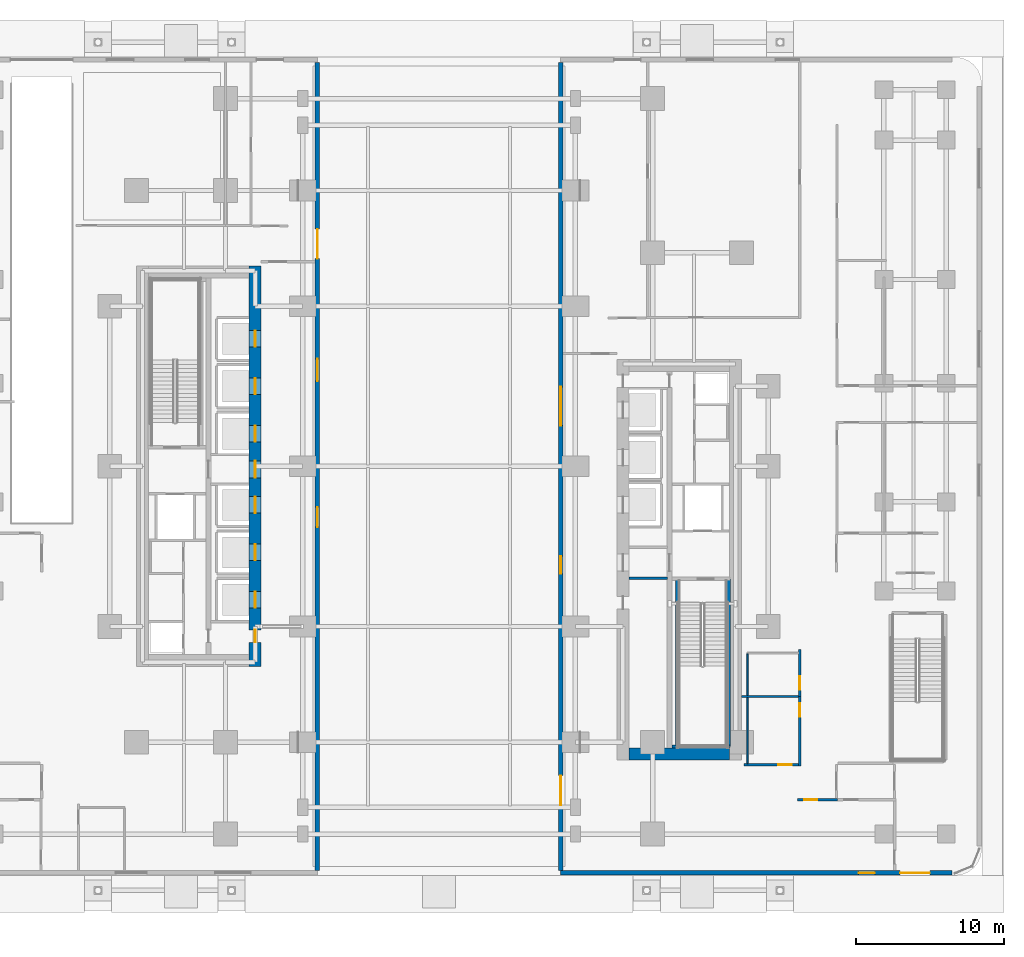
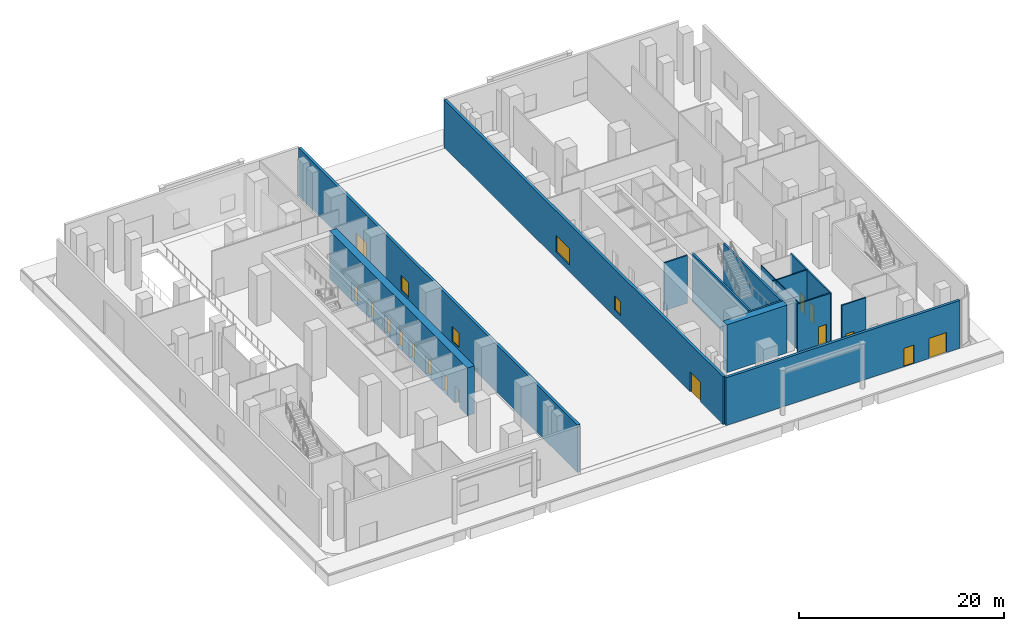
# One storey, part 10 of 22: 16 doors, 16 walls, 4 windows, 20 openings.
"""IFC4 building model written with IfcOpenShell, lengths in metres."""

from ifc_helpers import new_model, si_unit, direction, frame, frame_2d, origin, place, context, subcontext, project, spatial, rectangle, extrude, material, layer, layer_set, type_object, element, fill, save


model = new_model("IFC4")

# Units and contexts
model_context = context("Model", 3, precision=1e-05, world=origin(), true_north=direction((0.0, 1.0)))
body_context = subcontext(model_context, "Body", "Model", "MODEL_VIEW")
ifc_project = project(units=[si_unit("LENGTHUNIT", "METRE"), si_unit("AREAUNIT", "SQUARE_METRE"), si_unit("VOLUMEUNIT", "CUBIC_METRE"), si_unit("PLANEANGLEUNIT", "RADIAN"), si_unit("MASSUNIT", "GRAM", prefix="KILO")], contexts=[model_context])

# Site, building, storey
site_placement = place(None, origin())
site = spatial("IfcSite", under=ifc_project, at=site_placement, CompositionType="ELEMENT")
building_placement = place(site_placement, origin())
building = spatial("IfcBuilding", under=site, at=building_placement, Name="Khairoan Windgate Tower", CompositionType="ELEMENT")
storey_placement = place(building_placement, origin())
storey = spatial("IfcBuildingStorey", under=building, at=storey_placement, Name="L01", CompositionType="ELEMENT", Elevation=0.0)

# Walls
ifc_material_1 = material(Name="Moisture-Resistant Gypsum Partition", Category="gypsum")
ifc_layer_1 = layer(ifc_material_1, 0.10009765625, Name="Moisture-Resistant Gypsum Partition")
ifc_layer_set_1 = layer_set([ifc_layer_1], Name="Moisture-Resistant Gypsum Partition")
wall_type_1 = type_object("IfcWallType", Name="Bathroom Wet-Area Partition Wall", PredefinedType="PARTITIONING", material=ifc_layer_set_1)
wall_1_placement = place(storey_placement, frame((20.800048828125, -20.044921875, 0.0), z_axis=(0.0, 0.0, 1.0), x_axis=(0.0, 1.0, 0.0)))
element("IfcWall", 1, at=wall_1_placement, inside=storey, type_object=wall_type_1, Name="L01 Wet Room Side Wall 052", PredefinedType="PARTITIONING", context=body_context, shape_type="SweptSolid", body=[
    extrude(rectangle(XDim=4.454833984375, YDim=0.10009765625, at=frame_2d((2.2275390625, 0.0))), origin(), (0.0, 0.0, 1.0), 5.699951171875),
])
wall_2_placement = place(storey_placement, frame((20.800048828125, -15.449951171875, 0.0), z_axis=(0.0, 0.0, 1.0), x_axis=(0.0, 1.0, 0.0)))
element("IfcWall", 2, at=wall_2_placement, inside=storey, type_object=wall_type_1, Name="L01 Wet Room Side Wall 054", PredefinedType="PARTITIONING", context=body_context, shape_type="SweptSolid", body=[
    extrude(rectangle(XDim=2.800048828125, YDim=0.10009765625, at=frame_2d((1.39990234375, 0.0))), origin(), (0.0, 0.0, 1.0), 5.699951171875),
])
ifc_material_2 = material(Name="Concrete C40/50", Category="concrete")
ifc_layer_2 = layer(ifc_material_2, 0.159912109375, Name="Concrete C40/50")
ifc_layer_set_2 = layer_set([ifc_layer_2], Name="Concrete C40/50")
wall_type_2 = type_object("IfcWallType", Name="Core and Hoistway Enclosure Wall", PredefinedType="STANDARD", material=ifc_layer_set_2)
wall_3_placement = place(storey_placement, frame((12.800048828125, -7.5400390625, 0.0), z_axis=(0.0, 0.0, 1.0), x_axis=(1.0, 0.0, 0.0)))
element("IfcWall", 3, at=wall_3_placement, inside=storey, type_object=wall_type_2, Name="L01 Core Shaft Wall SW-EV2-L01", PredefinedType="STANDARD", context=body_context, shape_type="SweptSolid", body=[
    extrude(rectangle(XDim=2.599853515625, YDim=0.159912109375, at=frame_2d((1.2998046875, 0.0))), origin(), (0.0, 0.0, 1.0), 5.699951171875),
])

# Wall, openings, door, windows
ifc_material_3 = material(Name="Precast Concrete C40/50", Category="concrete")
ifc_layer_3 = layer(ifc_material_3, 0.300048828125, Name="Precast Concrete C40/50")
ifc_layer_set_3 = layer_set([ifc_layer_3], Name="Precast Concrete C40/50")
wall_type_3 = type_object("IfcWallType", Name="Insulated Precast Spandrel Facade Wall EW1 300mm", PredefinedType="STANDARD", material=ifc_layer_set_3)
wall_4_placement = place(storey_placement, frame((-8.199951171875, 27.25, 0.0), z_axis=(0.0, 0.0, 1.0), x_axis=(0.0, -1.0, 0.0)))
wall_4 = element("IfcWall", 4, at=wall_4_placement, inside=storey, type_object=wall_type_3, Name="Ground Facade Wall EW-L01-WA", PredefinedType="STANDARD", context=body_context, shape_type="SweptSolid", body=[
    extrude(rectangle(XDim=54.5, YDim=0.300048828125, at=frame_2d((27.25, 0.0))), origin(), (0.0, 0.0, 1.0), 5.699951171875),
])
opening_1_placement = place(wall_4_placement, frame((11.25, 0.0, 0.0)))
opening_1 = element("IfcOpeningElement", 5, at=opening_1_placement, cuts=wall_4, Name="Opening ED-02", PredefinedType="OPENING", context=body_context, shape_type="SweptSolid", body=[
    extrude(rectangle(XDim=2.0, YDim=2.39990234375, at=frame_2d((1.0, 1.199951171875))), frame((0.0, 0.159912109375, 0.0), z_axis=(0.0, -1.0, 0.0), x_axis=(1.0, 0.0, 0.0)), (0.0, 0.0, 1.0), 0.320068359375),
])
opening_2_placement = place(wall_4_placement, frame((20.0, 0.0, 0.85009765625)))
opening_2 = element("IfcOpeningElement", 6, at=opening_2_placement, cuts=wall_4, Name="Opening WN-05", PredefinedType="OPENING", context=body_context, shape_type="SweptSolid", body=[
    extrude(rectangle(XDim=1.5, YDim=1.800048828125, at=frame_2d((0.75, 0.89990234375))), frame((0.0, 0.159912109375, 0.0), z_axis=(0.0, -1.0, 0.0), x_axis=(1.0, 0.0, 0.0)), (0.0, 0.0, 1.0), 0.320068359375),
])
opening_3_placement = place(wall_4_placement, frame((30.0, 0.0, 0.85009765625)))
opening_3 = element("IfcOpeningElement", 7, at=opening_3_placement, cuts=wall_4, Name="Opening WN-06", PredefinedType="OPENING", context=body_context, shape_type="SweptSolid", body=[
    extrude(rectangle(XDim=1.35009765625, YDim=1.75, at=frame_2d((0.675048828125, 0.875))), frame((0.0, 0.159912109375, 0.0), z_axis=(0.0, -1.0, 0.0), x_axis=(1.0, 0.0, 0.0)), (0.0, 0.0, 1.0), 0.320068359375),
])
ifc_material_4 = material(Name="Anodised Bronze Aluminium 6063-T6", Category="aluminium")
door_type_1 = type_object("IfcDoorType", Name="Double Pedestrian Final Exit Door ED-2000", OperationType="DOUBLE_DOOR_SINGLE_SWING", PredefinedType="DOOR", material=ifc_material_4)
door_1_placement = place(opening_1_placement, origin())
door_1 = element("IfcDoor", 8, at=door_1_placement, inside=storey, type_object=door_type_1, Name="West Core Final Exit Door ED-02", OperationType="DOUBLE_DOOR_SINGLE_SWING", OverallHeight=2.39990234375, OverallWidth=2.0, PredefinedType="DOOR", context=body_context, shape_type="SweptSolid", body=[
    extrude(rectangle(XDim=2.0, YDim=2.39990234375, at=frame_2d((1.0, 1.199951171875))), frame((0.0, 0.02490234375, 0.0), z_axis=(0.0, -1.0, 0.0), x_axis=(1.0, 0.0, 0.0)), (0.0, 0.0, 1.0), 0.050048828125),
])
fill(opening_1, door_1)
ifc_material_5 = material(Name="Low-E Solar Control Laminated Glass", Category="glass")
window_type_1 = type_object("IfcWindowType", Name="Window WN-05 1500x1800", PartitioningType="SINGLE_PANEL", PredefinedType="WINDOW", material=ifc_material_5)
window_1_placement = place(opening_2_placement, origin())
window_1 = element("IfcWindow", 9, at=window_1_placement, inside=storey, type_object=window_type_1, Name="L01 Facade Window 13", OverallHeight=1.800048828125, OverallWidth=1.5, PartitioningType="SINGLE_PANEL", PredefinedType="WINDOW", context=body_context, shape_type="SweptSolid", body=[
    extrude(rectangle(XDim=1.5, YDim=1.800048828125, at=frame_2d((0.75, 0.89990234375))), frame((0.0, 0.030029296875, 0.0), z_axis=(0.0, -1.0, 0.0), x_axis=(1.0, 0.0, 0.0)), (0.0, 0.0, 1.0), 0.06005859375),
])
fill(opening_2, window_1)
ifc_material_6 = material(Name="Low-E Solar Control Laminated Glass", Category="glass")
window_type_2 = type_object("IfcWindowType", Name="Window WN-06 1350x1750", PartitioningType="SINGLE_PANEL", PredefinedType="WINDOW", material=ifc_material_6)
window_2_placement = place(opening_3_placement, origin())
window_2 = element("IfcWindow", 10, at=window_2_placement, inside=storey, type_object=window_type_2, Name="L01 Facade Window 14", OverallHeight=1.75, OverallWidth=1.35009765625, PartitioningType="SINGLE_PANEL", PredefinedType="WINDOW", context=body_context, shape_type="SweptSolid", body=[
    extrude(rectangle(XDim=1.35009765625, YDim=1.75, at=frame_2d((0.675048828125, 0.875))), frame((0.0, 0.030029296875, 0.0), z_axis=(0.0, -1.0, 0.0), x_axis=(1.0, 0.0, 0.0)), (0.0, 0.0, 1.0), 0.06005859375),
])
fill(opening_3, window_2)

# Wall, openings, doors
wall_5_placement = place(storey_placement, frame((34.60009765625, -27.419921875, 0.0), z_axis=(0.0, 0.0, 1.0), x_axis=(-1.0, 0.0, 0.0)))
wall_5 = element("IfcWall", 11, at=wall_5_placement, inside=storey, type_object=wall_type_3, Name="Ground Facade Wall EW-L01-ES", PredefinedType="STANDARD", context=body_context, shape_type="SweptSolid", body=[
    extrude(rectangle(XDim=26.400146484375, YDim=0.300048828125, at=frame_2d((13.2001953125, 0.0))), origin(), (0.0, 0.0, 1.0), 5.699951171875),
])
opening_4_placement = place(wall_5_placement, frame((1.5, 0.0, 0.0)))
opening_4 = element("IfcOpeningElement", 12, at=opening_4_placement, cuts=wall_5, Name="Opening ED-03", PredefinedType="OPENING", context=body_context, shape_type="SweptSolid", body=[
    extrude(rectangle(XDim=2.0, YDim=2.39990234375, at=frame_2d((1.0, 1.199951171875))), frame((0.0, 0.159912109375, 0.0), z_axis=(0.0, -1.0, 0.0), x_axis=(1.0, 0.0, 0.0)), (0.0, 0.0, 1.0), 0.320068359375),
])
opening_5_placement = place(wall_5_placement, frame((5.199951171875, 0.0, 0.0)))
opening_5 = element("IfcOpeningElement", 13, at=opening_5_placement, cuts=wall_5, Name="Opening FD-EXT", PredefinedType="OPENING", context=body_context, shape_type="SweptSolid", body=[
    extrude(rectangle(XDim=1.10009765625, YDim=2.199951171875, at=frame_2d((0.550048828125, 1.10009765625))), frame((0.0, 0.159912109375, 0.0), z_axis=(0.0, -1.0, 0.0), x_axis=(1.0, 0.0, 0.0)), (0.0, 0.0, 1.0), 0.320068359375),
])
door_2_placement = place(opening_4_placement, origin())
door_2 = element("IfcDoor", 14, at=door_2_placement, inside=storey, type_object=door_type_1, Name="Podium East Stair Final Exit Door ED-03", OperationType="DOUBLE_DOOR_SINGLE_SWING", OverallHeight=2.39990234375, OverallWidth=2.0, PredefinedType="DOOR", context=body_context, shape_type="SweptSolid", body=[
    extrude(rectangle(XDim=2.0, YDim=2.39990234375, at=frame_2d((1.0, 1.199951171875))), frame((0.0, 0.02490234375, 0.0), z_axis=(0.0, -1.0, 0.0), x_axis=(1.0, 0.0, 0.0)), (0.0, 0.0, 1.0), 0.050048828125),
])
fill(opening_4, door_2)
ifc_material_7 = material(Name="Steel S355", Category="steel")
door_type_2 = type_object("IfcDoorType", Name="Fire Command Room Exterior Door FD-FCR", OperationType="NOTDEFINED", PredefinedType="DOOR", material=ifc_material_7)
door_3_placement = place(opening_5_placement, origin())
door_3 = element("IfcDoor", 15, at=door_3_placement, inside=storey, type_object=door_type_2, Name="Fire Command Room Street Access Door", OperationType="SINGLE_SWING_LEFT", OverallHeight=2.199951171875, OverallWidth=1.10009765625, PredefinedType="DOOR", context=body_context, shape_type="SweptSolid", body=[
    extrude(rectangle(XDim=1.10009765625, YDim=2.199951171875, at=frame_2d((0.550048828125, 1.10009765625))), frame((0.0, 0.02490234375, 0.0), z_axis=(0.0, -1.0, 0.0), x_axis=(1.0, 0.0, 0.0)), (0.0, 0.0, 1.0), 0.050048828125),
])
fill(opening_5, door_3)

# Wall, openings, door, windows
wall_6_placement = place(storey_placement, frame((8.199951171875, -27.25, 0.0), z_axis=(0.0, 0.0, 1.0), x_axis=(0.0, 1.0, 0.0)))
wall_6 = element("IfcWall", 16, at=wall_6_placement, inside=storey, type_object=wall_type_3, Name="Ground Facade Wall EW-L01-EA", PredefinedType="STANDARD", context=body_context, shape_type="SweptSolid", body=[
    extrude(rectangle(XDim=54.5, YDim=0.300048828125, at=frame_2d((27.25, 0.0))), origin(), (0.0, 0.0, 1.0), 5.699951171875),
])
opening_6_placement = place(wall_6_placement, frame((4.39990234375, 0.0, 0.0)))
opening_6 = element("IfcOpeningElement", 17, at=opening_6_placement, cuts=wall_6, Name="Opening ED-01", PredefinedType="OPENING", context=body_context, shape_type="SweptSolid", body=[
    extrude(rectangle(XDim=2.0, YDim=2.39990234375, at=frame_2d((1.0, 1.199951171875))), frame((0.0, 0.159912109375, 0.0), z_axis=(0.0, -1.0, 0.0), x_axis=(1.0, 0.0, 0.0)), (0.0, 0.0, 1.0), 0.320068359375),
])
opening_7_placement = place(wall_6_placement, frame((20.0, 0.0, 0.85009765625)))
opening_7 = element("IfcOpeningElement", 18, at=opening_7_placement, cuts=wall_6, Name="Opening WN-07", PredefinedType="OPENING", context=body_context, shape_type="SweptSolid", body=[
    extrude(rectangle(XDim=1.199951171875, YDim=1.64990234375, at=frame_2d((0.60009765625, 0.824951171875))), frame((0.0, 0.159912109375, 0.0), z_axis=(0.0, -1.0, 0.0), x_axis=(1.0, 0.0, 0.0)), (0.0, 0.0, 1.0), 0.320068359375),
])
opening_8_placement = place(wall_6_placement, frame((30.0, 0.0, 0.85009765625)))
opening_8 = element("IfcOpeningElement", 19, at=opening_8_placement, cuts=wall_6, Name="Opening WN-08", PredefinedType="OPENING", context=body_context, shape_type="SweptSolid", body=[
    extrude(rectangle(XDim=2.60009765625, YDim=1.949951171875, at=frame_2d((1.300048828125, 0.97509765625))), frame((0.0, 0.159912109375, 0.0), z_axis=(0.0, -1.0, 0.0), x_axis=(1.0, 0.0, 0.0)), (0.0, 0.0, 1.0), 0.320068359375),
])
door_4_placement = place(opening_6_placement, origin())
door_4 = element("IfcDoor", 20, at=door_4_placement, inside=storey, type_object=door_type_1, Name="East Core Final Exit Door ED-01", OperationType="DOUBLE_DOOR_SINGLE_SWING", OverallHeight=2.39990234375, OverallWidth=2.0, PredefinedType="DOOR", context=body_context, shape_type="SweptSolid", body=[
    extrude(rectangle(XDim=2.0, YDim=2.39990234375, at=frame_2d((1.0, 1.199951171875))), frame((0.0, 0.02490234375, 0.0), z_axis=(0.0, -1.0, 0.0), x_axis=(1.0, 0.0, 0.0)), (0.0, 0.0, 1.0), 0.050048828125),
])
fill(opening_6, door_4)
ifc_material_8 = material(Name="Low-E Solar Control Laminated Glass", Category="glass")
window_type_3 = type_object("IfcWindowType", Name="Window WN-07 1200x1650", PartitioningType="SINGLE_PANEL", PredefinedType="WINDOW", material=ifc_material_8)
window_3_placement = place(opening_7_placement, origin())
window_3 = element("IfcWindow", 21, at=window_3_placement, inside=storey, type_object=window_type_3, Name="L01 Facade Window 15", OverallHeight=1.64990234375, OverallWidth=1.199951171875, PartitioningType="SINGLE_PANEL", PredefinedType="WINDOW", context=body_context, shape_type="SweptSolid", body=[
    extrude(rectangle(XDim=1.199951171875, YDim=1.64990234375, at=frame_2d((0.60009765625, 0.824951171875))), frame((0.0, 0.030029296875, 0.0), z_axis=(0.0, -1.0, 0.0), x_axis=(1.0, 0.0, 0.0)), (0.0, 0.0, 1.0), 0.06005859375),
])
fill(opening_7, window_3)
ifc_material_9 = material(Name="Low-E Solar Control Laminated Glass", Category="glass")
window_type_4 = type_object("IfcWindowType", Name="Window WN-08 2600x1950", PartitioningType="DOUBLE_PANEL_VERTICAL", PredefinedType="WINDOW", material=ifc_material_9)
window_4_placement = place(opening_8_placement, origin())
window_4 = element("IfcWindow", 22, at=window_4_placement, inside=storey, type_object=window_type_4, Name="L01 Facade Window 16", OverallHeight=1.949951171875, OverallWidth=2.60009765625, PartitioningType="SINGLE_PANEL", PredefinedType="WINDOW", context=body_context, shape_type="SweptSolid", body=[
    extrude(rectangle(XDim=2.60009765625, YDim=1.949951171875, at=frame_2d((1.300048828125, 0.97509765625))), frame((0.0, 0.030029296875, 0.0), z_axis=(0.0, -1.0, 0.0), x_axis=(1.0, 0.0, 0.0)), (0.0, 0.0, 1.0), 0.06005859375),
])
fill(opening_8, window_4)

# Wall
ifc_material_10 = material(Name="Acoustic Fire-Rated Gypsum Partition", Category="gypsum")
ifc_layer_4 = layer(ifc_material_10, 0.139892578125, Name="Acoustic Fire-Rated Gypsum Partition")
ifc_layer_set_4 = layer_set([ifc_layer_4], Name="Acoustic Fire-Rated Gypsum Partition")
wall_type_4 = type_object("IfcWallType", Name="Inter-Tenancy Compartment Wall", PredefinedType="PARTITIONING", material=ifc_layer_set_4)
wall_7_placement = place(storey_placement, frame((20.39990234375, -15.52001953125, 0.0), z_axis=(0.0, 0.0, 1.0), x_axis=(1.0, 0.0, 0.0)))
element("IfcWall", 23, at=wall_7_placement, inside=storey, type_object=wall_type_4, Name="L01 Interior Partition 047", PredefinedType="PARTITIONING", context=body_context, shape_type="SweptSolid", body=[
    extrude(rectangle(XDim=3.84521484375, YDim=0.139892578125, at=frame_2d((1.922607421875, 0.0))), origin(), (0.0, 0.0, 1.0), 5.699951171875),
])

# Wall, opening, door
ifc_material_11 = material(Name="Concrete C40/50", Category="concrete")
ifc_layer_5 = layer(ifc_material_11, 0.159912109375, Name="Concrete C40/50")
ifc_layer_set_5 = layer_set([ifc_layer_5], Name="Concrete C40/50")
wall_type_5 = type_object("IfcWallType", Name="Plant and Refuge Compartment Wall", PredefinedType="PARTITIONING", material=ifc_layer_set_5)
wall_8_placement = place(storey_placement, frame((24.159912109375, -22.47998046875, 0.0), z_axis=(0.0, 0.0, 1.0), x_axis=(1.0, 0.0, 0.0)))
wall_8 = element("IfcWall", 24, at=wall_8_placement, inside=storey, type_object=wall_type_5, Name="L01 Interior Partition 026", PredefinedType="PARTITIONING", context=body_context, shape_type="SweptSolid", body=[
    extrude(rectangle(XDim=2.715087890625, YDim=0.159912109375, at=frame_2d((1.357421875, 0.0))), origin(), (0.0, 0.0, 1.0), 5.699951171875),
])
opening_9_placement = place(wall_8_placement, frame((0.4599609375, 0.0, 0.0)))
opening_9 = element("IfcOpeningElement", 25, at=opening_9_placement, cuts=wall_8, Name="Opening FD-ENT", PredefinedType="OPENING", context=body_context, shape_type="SweptSolid", body=[
    extrude(rectangle(XDim=0.89990234375, YDim=2.14990234375, at=frame_2d((0.449951171875, 1.074951171875))), frame((0.0, 0.08984375, 0.0), z_axis=(0.0, -1.0, 0.0), x_axis=(1.0, 0.0, 0.0)), (0.0, 0.0, 1.0), 0.179931640625),
])
ifc_material_12 = material(Name="Timber Fire-Rated Core", Category="wood")
door_type_3 = type_object("IfcDoorType", Name="Unit and Office Fire Entrance Door FD-ENT 900x2150", OperationType="NOTDEFINED", PredefinedType="DOOR", material=ifc_material_12)
door_5_placement = place(opening_9_placement, origin())
door_5 = element("IfcDoor", 26, at=door_5_placement, inside=storey, type_object=door_type_3, Name="L01 L01-50-L01-59 Door", OperationType="SINGLE_SWING_LEFT", OverallHeight=2.14990234375, OverallWidth=0.89990234375, PredefinedType="DOOR", context=body_context, shape_type="SweptSolid", body=[
    extrude(rectangle(XDim=0.89990234375, YDim=2.14990234375, at=frame_2d((0.449951171875, 1.074951171875))), frame((0.0, 0.02490234375, 0.0), z_axis=(0.0, -1.0, 0.0), x_axis=(1.0, 0.0, 0.0)), (0.0, 0.0, 1.0), 0.050048828125),
])
fill(opening_9, door_5)

ifc_material_13 = material(Name="Acoustic Fire-Rated Gypsum Partition", Category="gypsum")
ifc_layer_6 = layer(ifc_material_13, 0.14990234375, Name="Acoustic Fire-Rated Gypsum Partition")
ifc_layer_set_6 = layer_set([ifc_layer_6], Name="Acoustic Fire-Rated Gypsum Partition")
wall_type_6 = type_object("IfcWallType", Name="Rated Corridor Partition Wall", PredefinedType="PARTITIONING", material=ifc_layer_set_6)
wall_9_placement = place(storey_placement, frame((24.320068359375, -20.195068359375, 0.0), z_axis=(0.0, 0.0, 1.0), x_axis=(0.0, 1.0, 0.0)))
wall_9 = element("IfcWall", 27, at=wall_9_placement, inside=storey, type_object=wall_type_6, Name="L01 Interior Partition 031", PredefinedType="PARTITIONING", context=body_context, shape_type="SweptSolid", body=[
    extrude(rectangle(XDim=4.675048828125, YDim=0.14990234375, at=frame_2d((2.33740234375, 0.0))), origin(), (0.0, 0.0, 1.0), 5.699951171875),
])
opening_10_placement = place(wall_9_placement, frame((3.31494140625, 0.0, 0.0)))
opening_10 = element("IfcOpeningElement", 28, at=opening_10_placement, cuts=wall_9, Name="Opening FD-ENT", PredefinedType="OPENING", context=body_context, shape_type="SweptSolid", body=[
    extrude(rectangle(XDim=0.89990234375, YDim=2.14990234375, at=frame_2d((0.449951171875, 1.074951171875))), frame((0.0, 0.0849609375, 0.0), z_axis=(0.0, -1.0, 0.0), x_axis=(1.0, 0.0, 0.0)), (0.0, 0.0, 1.0), 0.169921875),
])
door_6_placement = place(opening_10_placement, origin())
door_6 = element("IfcDoor", 29, at=door_6_placement, inside=storey, type_object=door_type_3, Name="L01 L01-50-L01-66 Door", OperationType="SINGLE_SWING_RIGHT", OverallHeight=2.14990234375, OverallWidth=0.89990234375, PredefinedType="DOOR", context=body_context, shape_type="SweptSolid", body=[
    extrude(rectangle(XDim=0.89990234375, YDim=2.14990234375, at=frame_2d((0.449951171875, 1.074951171875))), frame((0.0, 0.02490234375, 0.0), z_axis=(0.0, -1.0, 0.0), x_axis=(1.0, 0.0, 0.0)), (0.0, 0.0, 1.0), 0.050048828125),
])
fill(opening_10, door_6)

wall_10_placement = place(storey_placement, frame((24.320068359375, -15.52001953125, 0.0), z_axis=(0.0, 0.0, 1.0), x_axis=(0.0, 1.0, 0.0)))
wall_10 = element("IfcWall", 30, at=wall_10_placement, inside=storey, type_object=wall_type_6, Name="L01 Interior Partition 032", PredefinedType="PARTITIONING", context=body_context, shape_type="SweptSolid", body=[
    extrude(rectangle(XDim=3.159912109375, YDim=0.14990234375, at=frame_2d((1.580078125, 0.0))), origin(), (0.0, 0.0, 1.0), 5.699951171875),
])
opening_11_placement = place(wall_10_placement, frame((0.4599609375, 0.0, 0.0)))
opening_11 = element("IfcOpeningElement", 31, at=opening_11_placement, cuts=wall_10, Name="Opening FD-ENT", PredefinedType="OPENING", context=body_context, shape_type="SweptSolid", body=[
    extrude(rectangle(XDim=0.89990234375, YDim=2.14990234375, at=frame_2d((0.449951171875, 1.074951171875))), frame((0.0, 0.0849609375, 0.0), z_axis=(0.0, -1.0, 0.0), x_axis=(1.0, 0.0, 0.0)), (0.0, 0.0, 1.0), 0.169921875),
])
door_7_placement = place(opening_11_placement, origin())
door_7 = element("IfcDoor", 32, at=door_7_placement, inside=storey, type_object=door_type_3, Name="L01 L01-50-L01-67 Door", OperationType="SINGLE_SWING_LEFT", OverallHeight=2.14990234375, OverallWidth=0.89990234375, PredefinedType="DOOR", context=body_context, shape_type="SweptSolid", body=[
    extrude(rectangle(XDim=0.89990234375, YDim=2.14990234375, at=frame_2d((0.449951171875, 1.074951171875))), frame((0.0, 0.02490234375, 0.0), z_axis=(0.0, -1.0, 0.0), x_axis=(1.0, 0.0, 0.0)), (0.0, 0.0, 1.0), 0.050048828125),
])
fill(opening_11, door_7)

wall_11_placement = place(storey_placement, frame((20.56005859375, -20.1201171875, 0.0), z_axis=(0.0, 0.0, 1.0), x_axis=(1.0, 0.0, 0.0)))
wall_11 = element("IfcWall", 33, at=wall_11_placement, inside=storey, type_object=wall_type_6, Name="L01 Interior Partition 041", PredefinedType="PARTITIONING", context=body_context, shape_type="SweptSolid", body=[
    extrude(rectangle(XDim=3.68505859375, YDim=0.14990234375, at=frame_2d((1.842529296875, 0.0))), origin(), (0.0, 0.0, 1.0), 5.699951171875),
])
opening_12_placement = place(wall_11_placement, frame((2.324951171875, 0.0, 0.0)))
opening_12 = element("IfcOpeningElement", 34, at=opening_12_placement, cuts=wall_11, Name="Opening FD-ENT", PredefinedType="OPENING", context=body_context, shape_type="SweptSolid", body=[
    extrude(rectangle(XDim=0.89990234375, YDim=2.14990234375, at=frame_2d((0.449951171875, 1.074951171875))), frame((0.0, 0.0849609375, 0.0), z_axis=(0.0, -1.0, 0.0), x_axis=(1.0, 0.0, 0.0)), (0.0, 0.0, 1.0), 0.169921875),
])
door_8_placement = place(opening_12_placement, origin())
door_8 = element("IfcDoor", 35, at=door_8_placement, inside=storey, type_object=door_type_3, Name="L01 L01-56-L01-66 Door", OperationType="SINGLE_SWING_RIGHT", OverallHeight=2.14990234375, OverallWidth=0.89990234375, PredefinedType="DOOR", context=body_context, shape_type="SweptSolid", body=[
    extrude(rectangle(XDim=0.89990234375, YDim=2.14990234375, at=frame_2d((0.449951171875, 1.074951171875))), frame((0.0, 0.02490234375, 0.0), z_axis=(0.0, -1.0, 0.0), x_axis=(1.0, 0.0, 0.0)), (0.0, 0.0, 1.0), 0.050048828125),
])
fill(opening_12, door_8)

# Wall
ifc_material_14 = material(Name="Concrete C70/85", Category="concrete")
ifc_layer_7 = layer(ifc_material_14, 0.800048828125, Name="Concrete C70/85")
ifc_layer_set_7 = layer_set([ifc_layer_7], Name="Concrete C70/85")
wall_type_7 = type_object("IfcWallType", Name="Shear Wall CW-E1 800mm", PredefinedType="SHEAR", material=ifc_layer_set_7)
wall_12_placement = place(storey_placement, frame((12.800048828125, -19.39990234375, 0.0), z_axis=(0.0, 0.0, 1.0), x_axis=(1.0, 0.0, 0.0)))
element("IfcWall", 36, at=wall_12_placement, inside=storey, type_object=wall_type_7, Name="E Core South Shear Wall L01", PredefinedType="SHEAR", context=body_context, shape_type="SweptSolid", body=[
    extrude(rectangle(XDim=6.800048828125, YDim=0.800048828125, at=frame_2d((3.39990234375, 0.0))), origin(), (0.0, 0.0, 1.0), 5.699951171875),
])

# Wall, openings, doors
ifc_material_15 = material(Name="Concrete C70/85", Category="concrete")
ifc_layer_8 = layer(ifc_material_15, 0.800048828125, Name="Concrete C70/85")
ifc_layer_set_8 = layer_set([ifc_layer_8], Name="Concrete C70/85")
wall_type_8 = type_object("IfcWallType", Name="Shear Wall CW-W1 800mm", PredefinedType="SHEAR", material=ifc_layer_set_8)
wall_13_placement = place(storey_placement, frame((-12.39990234375, -13.5, 0.0), z_axis=(0.0, 0.0, 1.0), x_axis=(0.0, 1.0, 0.0)))
wall_13 = element("IfcWall", 37, at=wall_13_placement, inside=storey, type_object=wall_type_8, Name="W Core East Shear Wall L01", PredefinedType="SHEAR", context=body_context, shape_type="SweptSolid", body=[
    extrude(rectangle(XDim=27.0, YDim=0.800048828125, at=frame_2d((13.5, 0.0))), origin(), (0.0, 0.0, 1.0), 5.699951171875),
])
opening_13_placement = place(wall_13_placement, frame((21.550048828125, 0.0, 0.0)))
opening_13 = element("IfcOpeningElement", 38, at=opening_13_placement, cuts=wall_13, Name="Opening LD-PL", PredefinedType="OPENING", context=body_context, shape_type="SweptSolid", body=[
    extrude(rectangle(XDim=1.10009765625, YDim=2.199951171875, at=frame_2d((0.550048828125, 1.10009765625))), frame((0.0, 0.409912109375, 0.0), z_axis=(0.0, -1.0, 0.0), x_axis=(1.0, 0.0, 0.0)), (0.0, 0.0, 1.0), 0.820068359375),
])
opening_14_placement = place(wall_13_placement, frame((18.35009765625, 0.0, 0.0)))
opening_14 = element("IfcOpeningElement", 39, at=opening_14_placement, cuts=wall_13, Name="Opening LD-PL", PredefinedType="OPENING", context=body_context, shape_type="SweptSolid", body=[
    extrude(rectangle(XDim=1.10009765625, YDim=2.199951171875, at=frame_2d((0.550048828125, 1.10009765625))), frame((0.0, 0.409912109375, 0.0), z_axis=(0.0, -1.0, 0.0), x_axis=(1.0, 0.0, 0.0)), (0.0, 0.0, 1.0), 0.820068359375),
])
opening_15_placement = place(wall_13_placement, frame((15.14990234375, 0.0, 0.0)))
opening_15 = element("IfcOpeningElement", 40, at=opening_15_placement, cuts=wall_13, Name="Opening LD-PL", PredefinedType="OPENING", context=body_context, shape_type="SweptSolid", body=[
    extrude(rectangle(XDim=1.10009765625, YDim=2.199951171875, at=frame_2d((0.550048828125, 1.10009765625))), frame((0.0, 0.409912109375, 0.0), z_axis=(0.0, -1.0, 0.0), x_axis=(1.0, 0.0, 0.0)), (0.0, 0.0, 1.0), 0.820068359375),
])
opening_16_placement = place(wall_13_placement, frame((10.35009765625, 0.0, 0.0)))
opening_16 = element("IfcOpeningElement", 41, at=opening_16_placement, cuts=wall_13, Name="Opening LD-PL", PredefinedType="OPENING", context=body_context, shape_type="SweptSolid", body=[
    extrude(rectangle(XDim=1.10009765625, YDim=2.199951171875, at=frame_2d((0.550048828125, 1.10009765625))), frame((0.0, 0.409912109375, 0.0), z_axis=(0.0, -1.0, 0.0), x_axis=(1.0, 0.0, 0.0)), (0.0, 0.0, 1.0), 0.820068359375),
])
opening_17_placement = place(wall_13_placement, frame((7.14990234375, 0.0, 0.0)))
opening_17 = element("IfcOpeningElement", 42, at=opening_17_placement, cuts=wall_13, Name="Opening LD-PL", PredefinedType="OPENING", context=body_context, shape_type="SweptSolid", body=[
    extrude(rectangle(XDim=1.10009765625, YDim=2.199951171875, at=frame_2d((0.550048828125, 1.10009765625))), frame((0.0, 0.409912109375, 0.0), z_axis=(0.0, -1.0, 0.0), x_axis=(1.0, 0.0, 0.0)), (0.0, 0.0, 1.0), 0.820068359375),
])
opening_18_placement = place(wall_13_placement, frame((3.949951171875, 0.0, 0.0)))
opening_18 = element("IfcOpeningElement", 43, at=opening_18_placement, cuts=wall_13, Name="Opening LD-PL", PredefinedType="OPENING", context=body_context, shape_type="SweptSolid", body=[
    extrude(rectangle(XDim=1.10009765625, YDim=2.199951171875, at=frame_2d((0.550048828125, 1.10009765625))), frame((0.0, 0.409912109375, 0.0), z_axis=(0.0, -1.0, 0.0), x_axis=(1.0, 0.0, 0.0)), (0.0, 0.0, 1.0), 0.820068359375),
])
opening_19_placement = place(wall_13_placement, frame((12.72509765625, 0.0, 0.0)))
opening_19 = element("IfcOpeningElement", 44, at=opening_19_placement, cuts=wall_13, Name="Opening FD-FFL", PredefinedType="OPENING", context=body_context, shape_type="SweptSolid", body=[
    extrude(rectangle(XDim=1.14990234375, YDim=2.199951171875, at=frame_2d((0.574951171875, 1.10009765625))), frame((0.0, 0.409912109375, 0.0), z_axis=(0.0, -1.0, 0.0), x_axis=(1.0, 0.0, 0.0)), (0.0, 0.0, 1.0), 0.820068359375),
])
opening_20_placement = place(wall_13_placement, frame((1.625, 0.0, 0.0)))
opening_20 = element("IfcOpeningElement", 45, at=opening_20_placement, cuts=wall_13, Name="Opening FD-SRV", PredefinedType="OPENING", context=body_context, shape_type="SweptSolid", body=[
    extrude(rectangle(XDim=0.85009765625, YDim=2.10009765625, at=frame_2d((0.425048828125, 1.050048828125))), frame((0.0, 0.409912109375, 0.0), z_axis=(0.0, -1.0, 0.0), x_axis=(1.0, 0.0, 0.0)), (0.0, 0.0, 1.0), 0.820068359375),
])
ifc_material_16 = material(Name="Steel S355", Category="steel")
door_type_4 = type_object("IfcDoorType", Name="Core Service and Riser Fire Door FD-SRV 850x2100", OperationType="NOTDEFINED", PredefinedType="DOOR", material=ifc_material_16)
door_9_placement = place(opening_20_placement, origin())
door_9 = element("IfcDoor", 46, at=door_9_placement, inside=storey, type_object=door_type_4, Name="L01 West Core Service Vestibule Outer Door", OperationType="SINGLE_SWING_RIGHT", OverallHeight=2.10009765625, OverallWidth=0.85009765625, PredefinedType="DOOR", context=body_context, shape_type="SweptSolid", body=[
    extrude(rectangle(XDim=0.85009765625, YDim=2.10009765625, at=frame_2d((0.425048828125, 1.050048828125))), frame((0.0, 0.02490234375, 0.0), z_axis=(0.0, -1.0, 0.0), x_axis=(1.0, 0.0, 0.0)), (0.0, 0.0, 1.0), 0.050048828125),
])
fill(opening_20, door_9)
ifc_material_17 = material(Name="Steel S355", Category="steel")
door_type_5 = type_object("IfcDoorType", Name="Firefighting Lobby Fire Door FD-FFL 1150x2200", OperationType="NOTDEFINED", PredefinedType="DOOR", material=ifc_material_17)
door_10_placement = place(opening_19_placement, origin())
door_10 = element("IfcDoor", 47, at=door_10_placement, inside=storey, type_object=door_type_5, Name="L01 West Core Vestibule Entry Door", OperationType="SINGLE_SWING_RIGHT", OverallHeight=2.199951171875, OverallWidth=1.14990234375, PredefinedType="DOOR", context=body_context, shape_type="SweptSolid", body=[
    extrude(rectangle(XDim=1.14990234375, YDim=2.199951171875, at=frame_2d((0.574951171875, 1.10009765625))), frame((0.0, 0.02490234375, 0.0), z_axis=(0.0, -1.0, 0.0), x_axis=(1.0, 0.0, 0.0)), (0.0, 0.0, 1.0), 0.050048828125),
])
fill(opening_19, door_10)
ifc_material_18 = material(Name="Anodised Bronze Aluminium 6063-T6", Category="aluminium")
door_type_6 = type_object("IfcDoorType", Name="Passenger Lift Sliding Landing Door LD-PL 1100x2200", OperationType="DOUBLE_DOOR_SLIDING", PredefinedType="DOOR", material=ifc_material_18)
door_11_placement = place(opening_13_placement, origin())
door_11 = element("IfcDoor", 48, at=door_11_placement, inside=storey, type_object=door_type_6, Name="L01 Lift PL1 Sliding Landing Door", OperationType="DOUBLE_DOOR_SLIDING", OverallHeight=2.199951171875, OverallWidth=1.10009765625, PredefinedType="DOOR", context=body_context, shape_type="SweptSolid", body=[
    extrude(rectangle(XDim=1.10009765625, YDim=2.199951171875, at=frame_2d((0.550048828125, 1.10009765625))), frame((0.0, 0.02490234375, 0.0), z_axis=(0.0, -1.0, 0.0), x_axis=(1.0, 0.0, 0.0)), (0.0, 0.0, 1.0), 0.050048828125),
])
fill(opening_13, door_11)
door_12_placement = place(opening_14_placement, origin())
door_12 = element("IfcDoor", 49, at=door_12_placement, inside=storey, type_object=door_type_6, Name="L01 Lift PL2 Sliding Landing Door", OperationType="DOUBLE_DOOR_SLIDING", OverallHeight=2.199951171875, OverallWidth=1.10009765625, PredefinedType="DOOR", context=body_context, shape_type="SweptSolid", body=[
    extrude(rectangle(XDim=1.10009765625, YDim=2.199951171875, at=frame_2d((0.550048828125, 1.10009765625))), frame((0.0, 0.02490234375, 0.0), z_axis=(0.0, -1.0, 0.0), x_axis=(1.0, 0.0, 0.0)), (0.0, 0.0, 1.0), 0.050048828125),
])
fill(opening_14, door_12)
door_13_placement = place(opening_15_placement, origin())
door_13 = element("IfcDoor", 50, at=door_13_placement, inside=storey, type_object=door_type_6, Name="L01 Lift PL3 Sliding Landing Door", OperationType="DOUBLE_DOOR_SLIDING", OverallHeight=2.199951171875, OverallWidth=1.10009765625, PredefinedType="DOOR", context=body_context, shape_type="SweptSolid", body=[
    extrude(rectangle(XDim=1.10009765625, YDim=2.199951171875, at=frame_2d((0.550048828125, 1.10009765625))), frame((0.0, 0.02490234375, 0.0), z_axis=(0.0, -1.0, 0.0), x_axis=(1.0, 0.0, 0.0)), (0.0, 0.0, 1.0), 0.050048828125),
])
fill(opening_15, door_13)
door_14_placement = place(opening_16_placement, origin())
door_14 = element("IfcDoor", 51, at=door_14_placement, inside=storey, type_object=door_type_6, Name="L01 Lift PL4 Sliding Landing Door", OperationType="DOUBLE_DOOR_SLIDING", OverallHeight=2.199951171875, OverallWidth=1.10009765625, PredefinedType="DOOR", context=body_context, shape_type="SweptSolid", body=[
    extrude(rectangle(XDim=1.10009765625, YDim=2.199951171875, at=frame_2d((0.550048828125, 1.10009765625))), frame((0.0, 0.02490234375, 0.0), z_axis=(0.0, -1.0, 0.0), x_axis=(1.0, 0.0, 0.0)), (0.0, 0.0, 1.0), 0.050048828125),
])
fill(opening_16, door_14)
door_15_placement = place(opening_17_placement, origin())
door_15 = element("IfcDoor", 52, at=door_15_placement, inside=storey, type_object=door_type_6, Name="L01 Lift PL5 Sliding Landing Door", OperationType="DOUBLE_DOOR_SLIDING", OverallHeight=2.199951171875, OverallWidth=1.10009765625, PredefinedType="DOOR", context=body_context, shape_type="SweptSolid", body=[
    extrude(rectangle(XDim=1.10009765625, YDim=2.199951171875, at=frame_2d((0.550048828125, 1.10009765625))), frame((0.0, 0.02490234375, 0.0), z_axis=(0.0, -1.0, 0.0), x_axis=(1.0, 0.0, 0.0)), (0.0, 0.0, 1.0), 0.050048828125),
])
fill(opening_17, door_15)
door_16_placement = place(opening_18_placement, origin())
door_16 = element("IfcDoor", 53, at=door_16_placement, inside=storey, type_object=door_type_6, Name="L01 Lift PL6 Sliding Landing Door", OperationType="DOUBLE_DOOR_SLIDING", OverallHeight=2.199951171875, OverallWidth=1.10009765625, PredefinedType="DOOR", context=body_context, shape_type="SweptSolid", body=[
    extrude(rectangle(XDim=1.10009765625, YDim=2.199951171875, at=frame_2d((0.550048828125, 1.10009765625))), frame((0.0, 0.02490234375, 0.0), z_axis=(0.0, -1.0, 0.0), x_axis=(1.0, 0.0, 0.0)), (0.0, 0.0, 1.0), 0.050048828125),
])
fill(opening_18, door_16)

# Walls
ifc_material_19 = material(Name="Concrete C50/60", Category="concrete")
ifc_layer_9 = layer(ifc_material_19, 0.219970703125, Name="Concrete C50/60")
ifc_layer_set_9 = layer_set([ifc_layer_9], Name="Concrete C50/60")
wall_type_9 = type_object("IfcWallType", Name="Shear Wall SW-ST 220mm", PredefinedType="SHEAR", material=ifc_layer_set_9)
for number, where, z_axis, x_axis, name in (
    (54, (16.0400390625, -18.889892578125, 0.0), (0.0, 0.0, 1.0), (0.0, 1.0, 0.0), "L01 Stair ST1 West Bearing Wall"),
    (55, (19.530029296875, -18.889892578125, 0.0), (0.0, 0.0, 1.0), (0.0, 1.0, 0.0), "L01 Stair ST1 East Bearing Wall"),
):
    element("IfcWall", number, at=place(storey_placement, frame(where, z_axis=z_axis, x_axis=x_axis)), inside=storey, type_object=wall_type_9, Name=name, PredefinedType="SHEAR", context=body_context, shape_type="SweptSolid", body=[
        extrude(rectangle(XDim=11.2998046875, YDim=0.219970703125, at=frame_2d((5.64990234375, 0.0))), origin(), (0.0, 0.0, 1.0), 5.699951171875),
    ])
wall_14_placement = place(storey_placement, frame((15.705078125, -18.889892578125, 0.0), z_axis=(0.0, 0.0, 1.0), x_axis=(1.0, 0.0, 0.0)))
element("IfcWall", 56, at=wall_14_placement, inside=storey, type_object=wall_type_9, Name="L01 Stair ST1 South Bearing Wall", PredefinedType="SHEAR", context=body_context, shape_type="SweptSolid", body=[
    extrude(rectangle(XDim=3.9150390625, YDim=0.219970703125, at=frame_2d((1.95751953125, 0.0))), origin(), (0.0, 0.0, 1.0), 5.699951171875),
])

save(model, "model.ifc")
